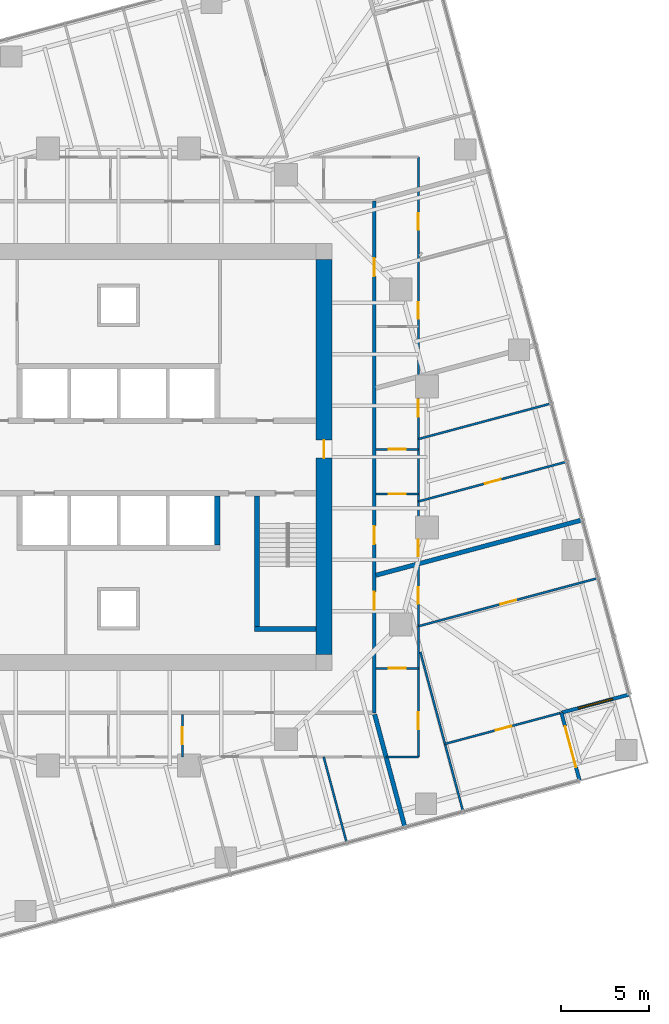
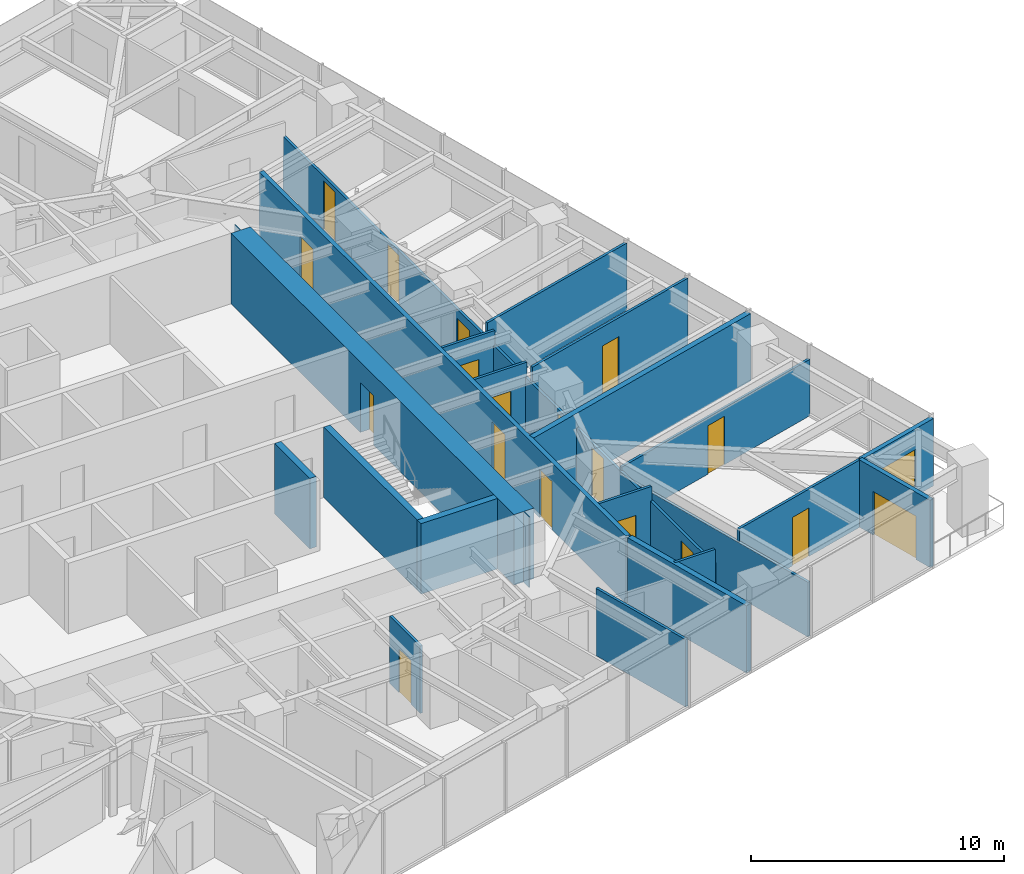
# One storey, part 10 of 13: 21 walls, 18 doors, 1 window, 19 openings.
"""IFC4 building model written with IfcOpenShell, lengths in metres."""

from ifc_helpers import new_model, si_unit, direction, frame, frame_2d, origin, place, context, subcontext, project, spatial, polyline, rectangle, outline, extrude, material, layer, layer_set, type_object, element, fill, save


model = new_model("IFC4")

# Units and contexts
model_context = context("Model", 3, precision=1e-05, world=origin(), true_north=direction((0.0, 1.0)))
body_context = subcontext(model_context, "Body", "Model", "MODEL_VIEW")
ifc_project = project(units=[si_unit("LENGTHUNIT", "METRE"), si_unit("AREAUNIT", "SQUARE_METRE"), si_unit("VOLUMEUNIT", "CUBIC_METRE"), si_unit("PLANEANGLEUNIT", "RADIAN"), si_unit("MASSUNIT", "GRAM", prefix="KILO")], contexts=[model_context])

# Site, building, storey
site_placement = place(None, origin())
site = spatial("IfcSite", under=ifc_project, at=site_placement, CompositionType="ELEMENT")
building_placement = place(site_placement, origin())
building = spatial("IfcBuilding", under=site, at=building_placement, Name="Torsade Residences", CompositionType="ELEMENT")
storey_placement = place(building_placement, frame((0.0, 0.0, 118.39990234375)))
storey = spatial("IfcBuildingStorey", under=building, at=storey_placement, Name="L32", CompositionType="ELEMENT", Elevation=118.39990234375)

# Walls
ifc_material_1 = material(Name="Concrete 80 MPa", Category="concrete")
ifc_layer_1 = layer(ifc_material_1, 0.300048828125)
ifc_layer_set_1 = layer_set([ifc_layer_1], Name="Concrete 80 MPa")
wall_type_1 = type_object("IfcWallType", Name="CORE INTERNAL WALL 300", PredefinedType="SHEAR", material=ifc_layer_set_1)
wall_1_placement = place(storey_placement, frame((45.60009765625, 27.800048828125, 0.0), z_axis=(0.0, 0.0, 1.0), x_axis=(0.0, -1.0, 0.0)))
element("IfcWall", 1, at=wall_1_placement, inside=storey, type_object=wall_type_1, Name="Core wall DS0 L32", PredefinedType="SHEAR", context=body_context, shape_type="SweptSolid", body=[
    extrude(rectangle(XDim=2.800048828125, YDim=0.300048828125, at=frame_2d((1.39990234375, 0.0))), origin(), (0.0, 0.0, 1.0), 3.400146484375),
])
wall_2_placement = place(storey_placement, frame((47.85009765625, 27.800048828125, 0.0), z_axis=(0.0, 0.0, 1.0), x_axis=(0.0, -1.0, 0.0)))
element("IfcWall", 2, at=wall_2_placement, inside=storey, type_object=wall_type_1, Name="Core wall ST2W L32", PredefinedType="SHEAR", context=body_context, shape_type="SweptSolid", body=[
    extrude(rectangle(XDim=7.699951171875, YDim=0.300048828125, at=frame_2d((3.85009765625, 0.0))), origin(), (0.0, 0.0, 1.0), 3.400146484375),
])
wall_3_placement = place(storey_placement, frame((51.199951171875, 20.25, 0.0), z_axis=(0.0, 0.0, 1.0), x_axis=(-1.0, 0.0, 0.0)))
element("IfcWall", 3, at=wall_3_placement, inside=storey, type_object=wall_type_1, Name="Core wall ST2S L32", PredefinedType="SHEAR", context=body_context, shape_type="SweptSolid", body=[
    extrude(rectangle(XDim=3.5, YDim=0.300048828125, at=frame_2d((1.75, 0.0))), origin(), (0.0, 0.0, 1.0), 3.400146484375),
])

# Wall, opening, door
ifc_material_2 = material(Name="Concrete 80 MPa", Category="concrete")
ifc_layer_2 = layer(ifc_material_2, 0.89990234375)
ifc_layer_set_2 = layer_set([ifc_layer_2], Name="Concrete 80 MPa")
wall_type_2 = type_object("IfcWallType", Name="CORE WALL 900", PredefinedType="SHEAR", material=ifc_layer_set_2)
wall_4_placement = place(storey_placement, frame((51.64990234375, 18.800048828125, 0.0), z_axis=(0.0, 0.0, 1.0), x_axis=(0.0, 1.0, 0.0)))
wall_4 = element("IfcWall", 4, at=wall_4_placement, inside=storey, type_object=wall_type_2, Name="Core wall E L32", PredefinedType="SHEAR", context=body_context, shape_type="SweptSolid", body=[
    extrude(outline(polyline([(0.0, -0.449951171875), (22.39990234375, -0.449951171875), (22.39990234375, -0.02490234375), (22.849853515625, -0.02490234375), (22.849853515625, 0.02490234375), (22.39990234375, 0.02490234375), (22.39990234375, 0.449951171875), (0.0, 0.449951171875), (0.0, 0.02490234375), (-0.449951171875, 0.02490234375), (-0.449951171875, -0.02490234375), (0.0, -0.02490234375), (0.0, -0.449951171875)])), origin(), (0.0, 0.0, 1.0), 3.400146484375),
])
opening_1_placement = place(wall_4_placement, frame((11.139892578125, 0.0, 0.0)))
opening_1 = element("IfcOpeningElement", 5, at=opening_1_placement, cuts=wall_4, Name="Opening D04", PredefinedType="OPENING", context=body_context, shape_type="SweptSolid", body=[
    extrude(rectangle(XDim=1.02001953125, YDim=2.39990234375, at=frame_2d((0.510009765625, 1.199951171875))), frame((0.0, 0.4599609375, 0.0), z_axis=(0.0, -1.0, 0.0), x_axis=(1.0, 0.0, 0.0)), (0.0, 0.0, 1.0), 0.919921875),
])
ifc_material_3 = material(Name="Steel-framed fire door", Category="steel")
door_type_1 = type_object("IfcDoorType", Name="LOBBY SMOKE DOOR 1020x2400", OperationType="NOTDEFINED", PredefinedType="DOOR", material=ifc_material_3)
door_1_placement = place(opening_1_placement, origin())
door_1 = element("IfcDoor", 6, at=door_1_placement, inside=storey, type_object=door_type_1, Name="Lift lobby door E L32", OperationType="SINGLE_SWING_LEFT", OverallHeight=2.39990234375, OverallWidth=1.02001953125, PredefinedType="DOOR", context=body_context, shape_type="SweptSolid", body=[
    extrude(rectangle(XDim=1.02001953125, YDim=2.39990234375, at=frame_2d((0.510009765625, 1.199951171875))), frame((0.0, 0.02490234375, 0.0), z_axis=(0.0, -1.0, 0.0), x_axis=(1.0, 0.0, 0.0)), (0.0, 0.0, 1.0), 0.050048828125),
])
fill(opening_1, door_1)

# Wall, openings, doors
ifc_material_4 = material(Name="Plasterboard on steel stud", Category="steel")
ifc_layer_3 = layer(ifc_material_4, 0.199951171875)
ifc_layer_set_3 = layer_set([ifc_layer_3], Name="Plasterboard on steel stud")
wall_type_3 = type_object("IfcWallType", Name="CORRIDOR WALL 200", PredefinedType="PARTITIONING", material=ifc_layer_set_3)
wall_5_placement = place(storey_placement, frame((54.5, 15.5, 0.0), z_axis=(0.0, 0.0, 1.0), x_axis=(0.0, 1.0, 0.0)))
wall_5 = element("IfcWall", 7, at=wall_5_placement, inside=storey, type_object=wall_type_3, Name="Corridor wall L32", PredefinedType="PARTITIONING", context=body_context, shape_type="SweptSolid", body=[
    extrude(rectangle(XDim=29.0, YDim=0.199951171875, at=frame_2d((14.5, 0.0))), origin(), (0.0, 0.0, 1.0), 3.25),
])
opening_2_placement = place(wall_5_placement, frame((24.760009765625, 0.0, 0.0)))
opening_2 = element("IfcOpeningElement", 8, at=opening_2_placement, cuts=wall_5, Name="Opening D01L", PredefinedType="OPENING", context=body_context, shape_type="SweptSolid", body=[
    extrude(rectangle(XDim=1.02001953125, YDim=2.10009765625, at=frame_2d((0.510009765625, 1.050048828125))), frame((0.0, 0.10986328125, 0.0), z_axis=(0.0, -1.0, 0.0), x_axis=(1.0, 0.0, 0.0)), (0.0, 0.0, 1.0), 0.219970703125),
])
opening_3_placement = place(wall_5_placement, frame((5.82861328125, 0.0, 0.0)))
opening_3 = element("IfcOpeningElement", 9, at=opening_3_placement, cuts=wall_5, Name="Opening D01", PredefinedType="OPENING", context=body_context, shape_type="SweptSolid", body=[
    extrude(rectangle(XDim=1.02001953125, YDim=2.340087890625, at=frame_2d((0.510009765625, 1.169921875))), frame((0.0, 0.10986328125, 0.0), z_axis=(0.0, -1.0, 0.0), x_axis=(1.0, 0.0, 0.0)), (0.0, 0.0, 1.0), 0.219970703125),
])
opening_4_placement = place(wall_5_placement, frame((9.559326171875, 0.0, 0.0)))
opening_4 = element("IfcOpeningElement", 10, at=opening_4_placement, cuts=wall_5, Name="Opening D01", PredefinedType="OPENING", context=body_context, shape_type="SweptSolid", body=[
    extrude(rectangle(XDim=1.02001953125, YDim=2.340087890625, at=frame_2d((0.510009765625, 1.169921875))), frame((0.0, 0.10986328125, 0.0), z_axis=(0.0, -1.0, 0.0), x_axis=(1.0, 0.0, 0.0)), (0.0, 0.0, 1.0), 0.219970703125),
])
ifc_material_5 = material(Name="Solid-core timber fire door", Category="wood")
door_type_2 = type_object("IfcDoorType", Name="APARTMENT ENTRY DOOR 1020x2100", OperationType="NOTDEFINED", PredefinedType="DOOR", material=ifc_material_5)
door_2_placement = place(opening_2_placement, origin())
door_2 = element("IfcDoor", 11, at=door_2_placement, inside=storey, type_object=door_type_2, Name="Door Residential corridor to Kitchen and dining", OperationType="SINGLE_SWING_LEFT", OverallHeight=2.10009765625, OverallWidth=1.02001953125, PredefinedType="DOOR", context=body_context, shape_type="SweptSolid", body=[
    extrude(rectangle(XDim=1.02001953125, YDim=2.10009765625, at=frame_2d((0.510009765625, 1.050048828125))), frame((0.0, 0.02490234375, 0.0), z_axis=(0.0, -1.0, 0.0), x_axis=(1.0, 0.0, 0.0)), (0.0, 0.0, 1.0), 0.050048828125),
])
fill(opening_2, door_2)
ifc_material_6 = material(Name="Solid-core timber fire door", Category="wood")
door_type_3 = type_object("IfcDoorType", Name="APARTMENT ENTRY DOOR 1020x2340", OperationType="NOTDEFINED", PredefinedType="DOOR", material=ifc_material_6)
door_3_placement = place(opening_3_placement, origin())
door_3 = element("IfcDoor", 12, at=door_3_placement, inside=storey, type_object=door_type_3, Name="Door Residential corridor to Kitchen and dining", OperationType="SINGLE_SWING_RIGHT", OverallHeight=2.340087890625, OverallWidth=1.02001953125, PredefinedType="DOOR", context=body_context, shape_type="SweptSolid", body=[
    extrude(rectangle(XDim=1.02001953125, YDim=2.340087890625, at=frame_2d((0.510009765625, 1.169921875))), frame((0.0, 0.02490234375, 0.0), z_axis=(0.0, -1.0, 0.0), x_axis=(1.0, 0.0, 0.0)), (0.0, 0.0, 1.0), 0.050048828125),
])
fill(opening_3, door_3)
door_4_placement = place(opening_4_placement, origin())
door_4 = element("IfcDoor", 13, at=door_4_placement, inside=storey, type_object=door_type_3, Name="Door Residential corridor to Kitchen and dining", OperationType="SINGLE_SWING_LEFT", OverallHeight=2.340087890625, OverallWidth=1.02001953125, PredefinedType="DOOR", context=body_context, shape_type="SweptSolid", body=[
    extrude(rectangle(XDim=1.02001953125, YDim=2.340087890625, at=frame_2d((0.510009765625, 1.169921875))), frame((0.0, 0.02490234375, 0.0), z_axis=(0.0, -1.0, 0.0), x_axis=(1.0, 0.0, 0.0)), (0.0, 0.0, 1.0), 0.050048828125),
])
fill(opening_4, door_4)

# Wall, opening, door
ifc_material_7 = material(Name="Plasterboard on steel stud", Category="steel")
ifc_layer_4 = layer(ifc_material_7, 0.1201171875)
ifc_layer_set_4 = layer_set([ifc_layer_4], Name="Plasterboard on steel stud")
wall_type_4 = type_object("IfcWallType", Name="PARTITION 120", PredefinedType="PARTITIONING", material=ifc_layer_set_4)
wall_6_placement = place(storey_placement, frame((43.617919921875, 13.0, 0.0), z_axis=(0.0, 0.0, 1.0), x_axis=(0.0, 1.0, 0.0)))
wall_6 = element("IfcWall", 14, at=wall_6_placement, inside=storey, type_object=wall_type_4, Name="Partition L32", PredefinedType="PARTITIONING", context=body_context, shape_type="SweptSolid", body=[
    extrude(rectangle(XDim=2.39990234375, YDim=0.1201171875, at=frame_2d((1.199951171875, 0.0))), origin(), (0.0, 0.0, 1.0), 3.25),
])
opening_5_placement = place(wall_6_placement, frame((0.719970703125, 0.0, 0.0)))
opening_5 = element("IfcOpeningElement", 15, at=opening_5_placement, cuts=wall_6, Name="Opening D05", PredefinedType="OPENING", context=body_context, shape_type="SweptSolid", body=[
    extrude(rectangle(XDim=0.9599609375, YDim=2.10009765625, at=frame_2d((0.47998046875, 1.050048828125))), frame((0.0, 0.070068359375, 0.0), z_axis=(0.0, -1.0, 0.0), x_axis=(1.0, 0.0, 0.0)), (0.0, 0.0, 1.0), 0.14013671875),
])
ifc_material_8 = material(Name="Hollow-core timber door in a steel cavity frame", Category="steel")
door_type_4 = type_object("IfcDoorType", Name="BATHROOM CAVITY SLIDING DOOR 960", OperationType="SLIDING_TO_LEFT", PredefinedType="DOOR", material=ifc_material_8)
door_5_placement = place(opening_5_placement, origin())
door_5 = element("IfcDoor", 16, at=door_5_placement, inside=storey, type_object=door_type_4, Name="Door Kitchen and dining to Ensuite", OperationType="SLIDING_TO_LEFT", OverallHeight=2.10009765625, OverallWidth=0.9599609375, PredefinedType="DOOR", context=body_context, shape_type="SweptSolid", body=[
    extrude(rectangle(XDim=0.9599609375, YDim=2.10009765625, at=frame_2d((0.47998046875, 1.050048828125))), frame((0.0, 0.02490234375, 0.0), z_axis=(0.0, -1.0, 0.0), x_axis=(1.0, 0.0, 0.0)), (0.0, 0.0, 1.0), 0.050048828125),
])
fill(opening_5, door_5)

# Wall
wall_7_placement = place(storey_placement, frame((51.629638671875, 13.0, 0.0), z_axis=(0.0, 0.0, 1.0), x_axis=(0.258789467631, -0.965933751063, 0.0)))
element("IfcWall", 17, at=wall_7_placement, inside=storey, type_object=wall_type_4, Name="Partition L32", PredefinedType="PARTITIONING", context=body_context, shape_type="SweptSolid", body=[
    extrude(rectangle(XDim=5.029296875, YDim=0.1201171875, at=frame_2d((2.5146484375, 0.0))), origin(), (0.0, 0.0, 1.0), 3.25),
])

# Wall, opening, door
wall_8_placement = place(storey_placement, frame((57.0, 18.021484375, 0.0), z_axis=(0.0, 0.0, 1.0), x_axis=(-1.0, 0.0, 0.0)))
wall_8 = element("IfcWall", 18, at=wall_8_placement, inside=storey, type_object=wall_type_4, Name="Partition L32", PredefinedType="PARTITIONING", context=body_context, shape_type="SweptSolid", body=[
    extrude(rectangle(XDim=2.39990234375, YDim=0.1201171875, at=frame_2d((1.199951171875, 0.0))), origin(), (0.0, 0.0, 1.0), 3.25),
])
opening_6_placement = place(wall_8_placement, frame((0.719970703125, 0.0, 0.0)))
opening_6 = element("IfcOpeningElement", 19, at=opening_6_placement, cuts=wall_8, Name="Opening D05", PredefinedType="OPENING", context=body_context, shape_type="SweptSolid", body=[
    extrude(rectangle(XDim=0.9599609375, YDim=2.10009765625, at=frame_2d((0.47998046875, 1.050048828125))), frame((0.0, 0.070068359375, 0.0), z_axis=(0.0, -1.0, 0.0), x_axis=(1.0, 0.0, 0.0)), (0.0, 0.0, 1.0), 0.14013671875),
])
door_6_placement = place(opening_6_placement, origin())
door_6 = element("IfcDoor", 20, at=door_6_placement, inside=storey, type_object=door_type_4, Name="Door Kitchen and dining to Bathroom", OperationType="SLIDING_TO_LEFT", OverallHeight=2.10009765625, OverallWidth=0.9599609375, PredefinedType="DOOR", context=body_context, shape_type="SweptSolid", body=[
    extrude(rectangle(XDim=0.9599609375, YDim=2.10009765625, at=frame_2d((0.47998046875, 1.050048828125))), frame((0.0, 0.02490234375, 0.0), z_axis=(0.0, -1.0, 0.0), x_axis=(1.0, 0.0, 0.0)), (0.0, 0.0, 1.0), 0.050048828125),
])
fill(opening_6, door_6)

# Wall, openings, doors
wall_9_placement = place(storey_placement, frame((57.0, 47.0, 0.0), z_axis=(0.0, 0.0, 1.0), x_axis=(0.0, -1.0, 0.0)))
wall_9 = element("IfcWall", 21, at=wall_9_placement, inside=storey, type_object=wall_type_4, Name="Partition L32", PredefinedType="PARTITIONING", context=body_context, shape_type="SweptSolid", body=[
    extrude(rectangle(XDim=34.0, YDim=0.1201171875, at=frame_2d((17.0, 0.0))), origin(), (0.0, 0.0, 1.0), 2.550048828125),
])
opening_7_placement = place(wall_9_placement, frame((8.230224609375, 0.0, 0.0)))
opening_7 = element("IfcOpeningElement", 22, at=opening_7_placement, cuts=wall_9, Name="Opening D02", PredefinedType="OPENING", context=body_context, shape_type="SweptSolid", body=[
    extrude(rectangle(XDim=0.919921875, YDim=2.340087890625, at=frame_2d((0.4599609375, 1.169921875))), frame((0.0, 0.070068359375, 0.0), z_axis=(0.0, -1.0, 0.0), x_axis=(1.0, 0.0, 0.0)), (0.0, 0.0, 1.0), 0.14013671875),
])
opening_8_placement = place(wall_9_placement, frame((3.19189453125, 0.0, 0.0)))
opening_8 = element("IfcOpeningElement", 23, at=opening_8_placement, cuts=wall_9, Name="Opening D02", PredefinedType="OPENING", context=body_context, shape_type="SweptSolid", body=[
    extrude(rectangle(XDim=0.919921875, YDim=2.340087890625, at=frame_2d((0.4599609375, 1.169921875))), frame((0.0, 0.070068359375, 0.0), z_axis=(0.0, -1.0, 0.0), x_axis=(1.0, 0.0, 0.0)), (0.0, 0.0, 1.0), 0.14013671875),
])
opening_9_placement = place(wall_9_placement, frame((24.390869140625, 0.0, 0.0)))
opening_9 = element("IfcOpeningElement", 24, at=opening_9_placement, cuts=wall_9, Name="Opening D02", PredefinedType="OPENING", context=body_context, shape_type="SweptSolid", body=[
    extrude(rectangle(XDim=0.919921875, YDim=2.340087890625, at=frame_2d((0.4599609375, 1.169921875))), frame((0.0, 0.070068359375, 0.0), z_axis=(0.0, -1.0, 0.0), x_axis=(1.0, 0.0, 0.0)), (0.0, 0.0, 1.0), 0.14013671875),
])
opening_10_placement = place(wall_9_placement, frame((21.701904296875, 0.0, 0.0)))
opening_10 = element("IfcOpeningElement", 25, at=opening_10_placement, cuts=wall_9, Name="Opening D02", PredefinedType="OPENING", context=body_context, shape_type="SweptSolid", body=[
    extrude(rectangle(XDim=0.919921875, YDim=2.340087890625, at=frame_2d((0.4599609375, 1.169921875))), frame((0.0, 0.070068359375, 0.0), z_axis=(0.0, -1.0, 0.0), x_axis=(1.0, 0.0, 0.0)), (0.0, 0.0, 1.0), 0.14013671875),
])
opening_11_placement = place(wall_9_placement, frame((31.459228515625, 0.0, 0.0)))
opening_11 = element("IfcOpeningElement", 26, at=opening_11_placement, cuts=wall_9, Name="Opening D05", PredefinedType="OPENING", context=body_context, shape_type="SweptSolid", body=[
    extrude(rectangle(XDim=0.9599609375, YDim=2.10009765625, at=frame_2d((0.47998046875, 1.050048828125))), frame((0.0, 0.070068359375, 0.0), z_axis=(0.0, -1.0, 0.0), x_axis=(1.0, 0.0, 0.0)), (0.0, 0.0, 1.0), 0.14013671875),
])
opening_12_placement = place(wall_9_placement, frame((13.75927734375, 0.0, 0.0)))
opening_12 = element("IfcOpeningElement", 27, at=opening_12_placement, cuts=wall_9, Name="Opening D05", PredefinedType="OPENING", context=body_context, shape_type="SweptSolid", body=[
    extrude(rectangle(XDim=0.9599609375, YDim=2.10009765625, at=frame_2d((0.47998046875, 1.050048828125))), frame((0.0, 0.070068359375, 0.0), z_axis=(0.0, -1.0, 0.0), x_axis=(1.0, 0.0, 0.0)), (0.0, 0.0, 1.0), 0.14013671875),
])
door_7_placement = place(opening_11_placement, origin())
door_7 = element("IfcDoor", 28, at=door_7_placement, inside=storey, type_object=door_type_4, Name="Door Bathroom to Bedroom 3", OperationType="SLIDING_TO_LEFT", OverallHeight=2.10009765625, OverallWidth=0.9599609375, PredefinedType="DOOR", context=body_context, shape_type="SweptSolid", body=[
    extrude(rectangle(XDim=0.9599609375, YDim=2.10009765625, at=frame_2d((0.47998046875, 1.050048828125))), frame((0.0, 0.02490234375, 0.0), z_axis=(0.0, -1.0, 0.0), x_axis=(1.0, 0.0, 0.0)), (0.0, 0.0, 1.0), 0.050048828125),
])
fill(opening_11, door_7)
door_8_placement = place(opening_12_placement, origin())
door_8 = element("IfcDoor", 29, at=door_8_placement, inside=storey, type_object=door_type_4, Name="Door Bathroom to Bedroom 2", OperationType="SLIDING_TO_LEFT", OverallHeight=2.10009765625, OverallWidth=0.9599609375, PredefinedType="DOOR", context=body_context, shape_type="SweptSolid", body=[
    extrude(rectangle(XDim=0.9599609375, YDim=2.10009765625, at=frame_2d((0.47998046875, 1.050048828125))), frame((0.0, 0.02490234375, 0.0), z_axis=(0.0, -1.0, 0.0), x_axis=(1.0, 0.0, 0.0)), (0.0, 0.0, 1.0), 0.050048828125),
])
fill(opening_12, door_8)
ifc_material_9 = material(Name="Hollow-core timber door", Category="wood")
door_type_5 = type_object("IfcDoorType", Name="INTERNAL DOOR 920x2340", OperationType="NOTDEFINED", PredefinedType="DOOR", material=ifc_material_9)
door_9_placement = place(opening_7_placement, origin())
door_9 = element("IfcDoor", 30, at=door_9_placement, inside=storey, type_object=door_type_5, Name="Door Kitchen and dining to Living room", OperationType="SINGLE_SWING_LEFT", OverallHeight=2.340087890625, OverallWidth=0.919921875, PredefinedType="DOOR", context=body_context, shape_type="SweptSolid", body=[
    extrude(rectangle(XDim=0.919921875, YDim=2.340087890625, at=frame_2d((0.4599609375, 1.169921875))), frame((0.0, 0.02490234375, 0.0), z_axis=(0.0, -1.0, 0.0), x_axis=(1.0, 0.0, 0.0)), (0.0, 0.0, 1.0), 0.050048828125),
])
fill(opening_7, door_9)
door_10_placement = place(opening_8_placement, origin())
door_10 = element("IfcDoor", 31, at=door_10_placement, inside=storey, type_object=door_type_5, Name="Door Kitchen and dining to Bedroom 1", OperationType="SINGLE_SWING_RIGHT", OverallHeight=2.340087890625, OverallWidth=0.919921875, PredefinedType="DOOR", context=body_context, shape_type="SweptSolid", body=[
    extrude(rectangle(XDim=0.919921875, YDim=2.340087890625, at=frame_2d((0.4599609375, 1.169921875))), frame((0.0, 0.02490234375, 0.0), z_axis=(0.0, -1.0, 0.0), x_axis=(1.0, 0.0, 0.0)), (0.0, 0.0, 1.0), 0.050048828125),
])
fill(opening_8, door_10)
door_11_placement = place(opening_9_placement, origin())
door_11 = element("IfcDoor", 32, at=door_11_placement, inside=storey, type_object=door_type_5, Name="Door Kitchen and dining to Bedroom 1", OperationType="SINGLE_SWING_RIGHT", OverallHeight=2.340087890625, OverallWidth=0.919921875, PredefinedType="DOOR", context=body_context, shape_type="SweptSolid", body=[
    extrude(rectangle(XDim=0.919921875, YDim=2.340087890625, at=frame_2d((0.4599609375, 1.169921875))), frame((0.0, 0.02490234375, 0.0), z_axis=(0.0, -1.0, 0.0), x_axis=(1.0, 0.0, 0.0)), (0.0, 0.0, 1.0), 0.050048828125),
])
fill(opening_9, door_11)
door_12_placement = place(opening_10_placement, origin())
door_12 = element("IfcDoor", 33, at=door_12_placement, inside=storey, type_object=door_type_5, Name="Door Kitchen and dining to Living room", OperationType="SINGLE_SWING_LEFT", OverallHeight=2.340087890625, OverallWidth=0.919921875, PredefinedType="DOOR", context=body_context, shape_type="SweptSolid", body=[
    extrude(rectangle(XDim=0.919921875, YDim=2.340087890625, at=frame_2d((0.4599609375, 1.169921875))), frame((0.0, 0.02490234375, 0.0), z_axis=(0.0, -1.0, 0.0), x_axis=(1.0, 0.0, 0.0)), (0.0, 0.0, 1.0), 0.050048828125),
])
fill(opening_10, door_12)

# Wall
wall_10_placement = place(storey_placement, frame((57.0, 13.0, 0.0), z_axis=(0.0, 0.0, 1.0), x_axis=(-1.0, 0.0, 0.0)))
element("IfcWall", 34, at=wall_10_placement, inside=storey, type_object=wall_type_4, Name="Partition L32", PredefinedType="PARTITIONING", context=body_context, shape_type="SweptSolid", body=[
    extrude(rectangle(XDim=1.833251953125, YDim=0.1201171875, at=frame_2d((0.91650390625, 0.0))), origin(), (0.0, 0.0, 1.0), 3.25),
])

# Wall, opening, door
wall_11_placement = place(storey_placement, frame((57.0, 20.40625, 0.0), z_axis=(0.0, 0.0, 1.0), x_axis=(0.9659257847, 0.258819200315, 0.0)))
wall_11 = element("IfcWall", 35, at=wall_11_placement, inside=storey, type_object=wall_type_4, Name="Partition L32", PredefinedType="PARTITIONING", context=body_context, shape_type="SweptSolid", body=[
    extrude(rectangle(XDim=10.5224609375, YDim=0.1201171875, at=frame_2d((5.26123046875, 0.0))), origin(), (0.0, 0.0, 1.0), 2.72216796875),
])
opening_13_placement = place(wall_11_placement, frame((4.821044921875, 0.0, 0.0)))
opening_13 = element("IfcOpeningElement", 36, at=opening_13_placement, cuts=wall_11, Name="Opening D02", PredefinedType="OPENING", context=body_context, shape_type="SweptSolid", body=[
    extrude(rectangle(XDim=0.919921875, YDim=2.340087890625, at=frame_2d((0.4599609375, 1.169921875))), frame((0.0, 0.070068359375, 0.0), z_axis=(0.0, -1.0, 0.0), x_axis=(1.0, 0.0, 0.0)), (0.0, 0.0, 1.0), 0.14013671875),
])
door_13_placement = place(opening_13_placement, origin())
door_13 = element("IfcDoor", 37, at=door_13_placement, inside=storey, type_object=door_type_5, Name="Door Bedroom 1 to Living room", OperationType="SINGLE_SWING_RIGHT", OverallHeight=2.340087890625, OverallWidth=0.919921875, PredefinedType="DOOR", context=body_context, shape_type="SweptSolid", body=[
    extrude(rectangle(XDim=0.919921875, YDim=2.340087890625, at=frame_2d((0.4599609375, 1.169921875))), frame((0.0, 0.02490234375, 0.0), z_axis=(0.0, -1.0, 0.0), x_axis=(1.0, 0.0, 0.0)), (0.0, 0.0, 1.0), 0.050048828125),
])
fill(opening_13, door_13)

wall_12_placement = place(storey_placement, frame((65.068603515625, 15.493896484375, 0.0), z_axis=(0.0, 0.0, 1.0), x_axis=(-0.965922865286, -0.258830095464, 0.0)))
wall_12 = element("IfcWall", 38, at=wall_12_placement, inside=storey, type_object=wall_type_4, Name="Partition L32", PredefinedType="PARTITIONING", context=body_context, shape_type="SweptSolid", body=[
    extrude(rectangle(XDim=6.793212890625, YDim=0.1201171875, at=frame_2d((3.396484375, 0.0))), origin(), (0.0, 0.0, 1.0), 3.25),
])
opening_14_placement = place(wall_12_placement, frame((2.8916015625, 0.0, 0.0)))
opening_14 = element("IfcOpeningElement", 39, at=opening_14_placement, cuts=wall_12, Name="Opening D02", PredefinedType="OPENING", context=body_context, shape_type="SweptSolid", body=[
    extrude(rectangle(XDim=0.919921875, YDim=2.340087890625, at=frame_2d((0.4599609375, 1.169921875))), frame((0.0, 0.070068359375, 0.0), z_axis=(0.0, -1.0, 0.0), x_axis=(1.0, 0.0, 0.0)), (0.0, 0.0, 1.0), 0.14013671875),
])
door_14_placement = place(opening_14_placement, origin())
door_14 = element("IfcDoor", 40, at=door_14_placement, inside=storey, type_object=door_type_5, Name="Door Living room to Bedroom 2", OperationType="SINGLE_SWING_LEFT", OverallHeight=2.340087890625, OverallWidth=0.919921875, PredefinedType="DOOR", context=body_context, shape_type="SweptSolid", body=[
    extrude(rectangle(XDim=0.919921875, YDim=2.340087890625, at=frame_2d((0.4599609375, 1.169921875))), frame((0.0, 0.02490234375, 0.0), z_axis=(0.0, -1.0, 0.0), x_axis=(1.0, 0.0, 0.0)), (0.0, 0.0, 1.0), 0.050048828125),
])
fill(opening_14, door_14)

# Wall
wall_13_placement = place(storey_placement, frame((59.53173828125, 9.91064453125, 0.0), z_axis=(0.0, 0.0, 1.0), x_axis=(-0.25881390457, 0.965927203676, 0.0)))
element("IfcWall", 41, at=wall_13_placement, inside=storey, type_object=wall_type_4, Name="Partition L32", PredefinedType="PARTITIONING", context=body_context, shape_type="SweptSolid", body=[
    extrude(rectangle(XDim=9.356689453125, YDim=0.1201171875, at=frame_2d((4.67822265625, 0.0))), origin(), (0.0, 0.0, 1.0), 2.63818359375),
])

# Wall, opening, door
wall_14_placement = place(storey_placement, frame((54.60009765625, 27.900634765625, 0.0), z_axis=(0.0, 0.0, 1.0), x_axis=(1.0, 0.0, 0.0)))
wall_14 = element("IfcWall", 42, at=wall_14_placement, inside=storey, type_object=wall_type_4, Name="Partition L32", PredefinedType="PARTITIONING", context=body_context, shape_type="SweptSolid", body=[
    extrude(rectangle(XDim=2.39990234375, YDim=0.1201171875, at=frame_2d((1.199951171875, 0.0))), origin(), (0.0, 0.0, 1.0), 3.25),
])
opening_15_placement = place(wall_14_placement, frame((0.719970703125, 0.0, 0.0)))
opening_15 = element("IfcOpeningElement", 43, at=opening_15_placement, cuts=wall_14, Name="Opening D05", PredefinedType="OPENING", context=body_context, shape_type="SweptSolid", body=[
    extrude(rectangle(XDim=0.9599609375, YDim=2.10009765625, at=frame_2d((0.47998046875, 1.050048828125))), frame((0.0, 0.070068359375, 0.0), z_axis=(0.0, -1.0, 0.0), x_axis=(1.0, 0.0, 0.0)), (0.0, 0.0, 1.0), 0.14013671875),
])
door_15_placement = place(opening_15_placement, origin())
door_15 = element("IfcDoor", 44, at=door_15_placement, inside=storey, type_object=door_type_4, Name="Door Kitchen and dining to Ensuite", OperationType="SLIDING_TO_LEFT", OverallHeight=2.10009765625, OverallWidth=0.9599609375, PredefinedType="DOOR", context=body_context, shape_type="SweptSolid", body=[
    extrude(rectangle(XDim=0.9599609375, YDim=2.10009765625, at=frame_2d((0.47998046875, 1.050048828125))), frame((0.0, 0.02490234375, 0.0), z_axis=(0.0, -1.0, 0.0), x_axis=(1.0, 0.0, 0.0)), (0.0, 0.0, 1.0), 0.050048828125),
])
fill(opening_15, door_15)

wall_15_placement = place(storey_placement, frame((57.0, 30.4296875, 0.0), z_axis=(0.0, 0.0, 1.0), x_axis=(-1.0, 0.0, 0.0)))
wall_15 = element("IfcWall", 45, at=wall_15_placement, inside=storey, type_object=wall_type_4, Name="Partition L32", PredefinedType="PARTITIONING", context=body_context, shape_type="SweptSolid", body=[
    extrude(rectangle(XDim=2.39990234375, YDim=0.1201171875, at=frame_2d((1.199951171875, 0.0))), origin(), (0.0, 0.0, 1.0), 3.25),
])
opening_16_placement = place(wall_15_placement, frame((0.719970703125, 0.0, 0.0)))
opening_16 = element("IfcOpeningElement", 46, at=opening_16_placement, cuts=wall_15, Name="Opening D05", PredefinedType="OPENING", context=body_context, shape_type="SweptSolid", body=[
    extrude(rectangle(XDim=0.9599609375, YDim=2.10009765625, at=frame_2d((0.47998046875, 1.050048828125))), frame((0.0, 0.070068359375, 0.0), z_axis=(0.0, -1.0, 0.0), x_axis=(1.0, 0.0, 0.0)), (0.0, 0.0, 1.0), 0.14013671875),
])
door_16_placement = place(opening_16_placement, origin())
door_16 = element("IfcDoor", 47, at=door_16_placement, inside=storey, type_object=door_type_4, Name="Door Ensuite to Bathroom", OperationType="SLIDING_TO_LEFT", OverallHeight=2.10009765625, OverallWidth=0.9599609375, PredefinedType="DOOR", context=body_context, shape_type="SweptSolid", body=[
    extrude(rectangle(XDim=0.9599609375, YDim=2.10009765625, at=frame_2d((0.47998046875, 1.050048828125))), frame((0.0, 0.02490234375, 0.0), z_axis=(0.0, -1.0, 0.0), x_axis=(1.0, 0.0, 0.0)), (0.0, 0.0, 1.0), 0.050048828125),
])
fill(opening_16, door_16)

wall_16_placement = place(storey_placement, frame((57.0, 27.480712890625, 0.0), z_axis=(0.0, 0.0, 1.0), x_axis=(0.965925607751, 0.258819860698, 0.0)))
wall_16 = element("IfcWall", 48, at=wall_16_placement, inside=storey, type_object=wall_type_4, Name="Partition L32", PredefinedType="PARTITIONING", context=body_context, shape_type="SweptSolid", body=[
    extrude(rectangle(XDim=8.69140625, YDim=0.1201171875, at=frame_2d((4.345703125, 0.0))), origin(), (0.0, 0.0, 1.0), 3.25),
])
opening_17_placement = place(wall_16_placement, frame((3.90576171875, 0.0, 0.0)))
opening_17 = element("IfcOpeningElement", 49, at=opening_17_placement, cuts=wall_16, Name="Opening D02", PredefinedType="OPENING", context=body_context, shape_type="SweptSolid", body=[
    extrude(rectangle(XDim=0.919921875, YDim=2.340087890625, at=frame_2d((0.4599609375, 1.169921875))), frame((0.0, 0.070068359375, 0.0), z_axis=(0.0, -1.0, 0.0), x_axis=(1.0, 0.0, 0.0)), (0.0, 0.0, 1.0), 0.14013671875),
])
door_17_placement = place(opening_17_placement, origin())
door_17 = element("IfcDoor", 50, at=door_17_placement, inside=storey, type_object=door_type_5, Name="Door Living room to Bedroom 1", OperationType="SINGLE_SWING_LEFT", OverallHeight=2.340087890625, OverallWidth=0.919921875, PredefinedType="DOOR", context=body_context, shape_type="SweptSolid", body=[
    extrude(rectangle(XDim=0.919921875, YDim=2.340087890625, at=frame_2d((0.4599609375, 1.169921875))), frame((0.0, 0.02490234375, 0.0), z_axis=(0.0, -1.0, 0.0), x_axis=(1.0, 0.0, 0.0)), (0.0, 0.0, 1.0), 0.050048828125),
])
fill(opening_17, door_17)

# Walls
wall_17_placement = place(storey_placement, frame((57.0, 31.01806640625, 0.0), z_axis=(0.0, 0.0, 1.0), x_axis=(0.965927309482, 0.258813509689, 0.0)))
element("IfcWall", 51, at=wall_17_placement, inside=storey, type_object=wall_type_4, Name="Partition L32", PredefinedType="PARTITIONING", context=body_context, shape_type="SweptSolid", body=[
    extrude(rectangle(XDim=7.775634765625, YDim=0.1201171875, at=frame_2d((3.8876953125, 0.0))), origin(), (0.0, 0.0, 1.0), 3.25),
])
ifc_material_10 = material(Name="Masonry-lined stud party wall", Category="masonry")
ifc_layer_5 = layer(ifc_material_10, 0.25)
ifc_layer_set_5 = layer_set([ifc_layer_5], Name="Masonry-lined stud party wall")
wall_type_5 = type_object("IfcWallType", Name="PARTY WALL 250", PredefinedType="PARTITIONING", material=ifc_layer_set_5)
wall_18_placement = place(storey_placement, frame((56.24169921875, 8.98779296875, 0.0), z_axis=(0.0, 0.0, 1.0), x_axis=(-0.25880587229, 0.965929355837, 0.0)))
element("IfcWall", 52, at=wall_18_placement, inside=storey, type_object=wall_type_5, Name="Party wall L32", PredefinedType="PARTITIONING", context=body_context, shape_type="SweptSolid", body=[
    extrude(rectangle(XDim=6.644775390625, YDim=0.25, at=frame_2d((3.322265625, 0.0))), origin(), (0.0, 0.0, 1.0), 3.25),
])
wall_19_placement = place(storey_placement, frame((66.318115234375, 26.4404296875, 0.0), z_axis=(0.0, 0.0, 1.0), x_axis=(-0.965924438766, -0.258824223352, 0.0)))
element("IfcWall", 53, at=wall_19_placement, inside=storey, type_object=wall_type_5, Name="Party wall L32", PredefinedType="PARTITIONING", context=body_context, shape_type="SweptSolid", body=[
    extrude(rectangle(XDim=12.137939453125, YDim=0.25, at=frame_2d((6.06884765625, 0.0))), origin(), (0.0, 0.0, 1.0), 3.25),
])

# Wall, opening, door
ifc_material_11 = material(Name="Stone-faced precast concrete 40 MPa panel", Category="masonry")
ifc_layer_6 = layer(ifc_material_11, 0.199951171875)
ifc_layer_set_6 = layer_set([ifc_layer_6], Name="Stone-faced precast concrete 40 MPa panel")
wall_type_6 = type_object("IfcWallType", Name="TERRACE WALL 200", PredefinedType="SOLIDWALL", material=ifc_layer_set_6)
wall_20_placement = place(storey_placement, frame((66.142578125, 11.640625, 0.0), z_axis=(0.0, 0.0, 1.0), x_axis=(-0.258843877716, 0.965919172068, 0.0)))
wall_20 = element("IfcWall", 54, at=wall_20_placement, inside=storey, type_object=wall_type_6, Name="Terrace wall L32 2", PredefinedType="SOLIDWALL", context=body_context, shape_type="SweptSolid", body=[
    extrude(rectangle(XDim=4.0, YDim=0.199951171875, at=frame_2d((2.0, 0.0))), origin(), (0.0, 0.0, 1.0), 3.25),
])
opening_18_placement = place(wall_20_placement, frame((0.800048828125, 0.0, 0.0)))
opening_18 = element("IfcOpeningElement", 55, at=opening_18_placement, cuts=wall_20, Name="Opening D10A", PredefinedType="OPENING", context=body_context, shape_type="SweptSolid", body=[
    extrude(rectangle(XDim=2.39990234375, YDim=2.10009765625, at=frame_2d((1.199951171875, 1.050048828125))), frame((0.0, 0.10986328125, 0.0), z_axis=(0.0, -1.0, 0.0), x_axis=(1.0, 0.0, 0.0)), (0.0, 0.0, 1.0), 0.219970703125),
])
ifc_material_12 = material(Name="Aluminium-framed glass door", Category="aluminium")
door_type_6 = type_object("IfcDoorType", Name="TERRACE SLIDING DOOR 2400x2100", OperationType="SLIDING_TO_LEFT", PredefinedType="DOOR", material=ifc_material_12)
door_18_placement = place(opening_18_placement, origin())
door_18 = element("IfcDoor", 56, at=door_18_placement, inside=storey, type_object=door_type_6, Name="Terrace door L32 2", OperationType="SLIDING_TO_LEFT", OverallHeight=2.10009765625, OverallWidth=2.39990234375, PredefinedType="DOOR", context=body_context, shape_type="SweptSolid", body=[
    extrude(rectangle(XDim=2.39990234375, YDim=2.10009765625, at=frame_2d((1.199951171875, 1.050048828125))), frame((0.0, 0.02490234375, 0.0), z_axis=(0.0, -1.0, 0.0), x_axis=(1.0, 0.0, 0.0)), (0.0, 0.0, 1.0), 0.050048828125),
])
fill(opening_18, door_18)

# Wall, opening, window
wall_21_placement = place(storey_placement, frame((65.107177734375, 15.50439453125, 0.0), z_axis=(0.0, 0.0, 1.0), x_axis=(0.965934430412, 0.258786931944, 0.0)))
wall_21 = element("IfcWall", 57, at=wall_21_placement, inside=storey, type_object=wall_type_6, Name="Terrace wall L32 3", PredefinedType="SOLIDWALL", context=body_context, shape_type="SweptSolid", body=[
    extrude(rectangle(XDim=4.0, YDim=0.199951171875, at=frame_2d((2.0, 0.0))), origin(), (0.0, 0.0, 1.0), 3.25),
])
opening_19_placement = place(wall_21_placement, frame((1.0, 0.0, 0.449951171875)))
opening_19 = element("IfcOpeningElement", 58, at=opening_19_placement, cuts=wall_21, Name="Opening W1B", PredefinedType="OPENING", context=body_context, shape_type="SweptSolid", body=[
    extrude(rectangle(XDim=2.0, YDim=1.800048828125, at=frame_2d((1.0, 0.89990234375))), frame((0.0, 0.10986328125, 0.0), z_axis=(0.0, -1.0, 0.0), x_axis=(1.0, 0.0, 0.0)), (0.0, 0.0, 1.0), 0.219970703125),
])
ifc_material_13 = material(Name="Aluminium-framed glass window", Category="aluminium")
window_type = type_object("IfcWindowType", Name="TERRACE WINDOW 2000x1800", PartitioningType="SINGLE_PANEL", PredefinedType="WINDOW", material=ifc_material_13)
window_placement = place(opening_19_placement, origin())
window = element("IfcWindow", 59, at=window_placement, inside=storey, type_object=window_type, Name="Terrace window L32 3", OverallHeight=1.800048828125, OverallWidth=2.0, PartitioningType="SINGLE_PANEL", PredefinedType="WINDOW", context=body_context, shape_type="SweptSolid", body=[
    extrude(rectangle(XDim=2.0, YDim=1.800048828125, at=frame_2d((1.0, 0.89990234375))), frame((0.0, 0.030029296875, 0.0), z_axis=(0.0, -1.0, 0.0), x_axis=(1.0, 0.0, 0.0)), (0.0, 0.0, 1.0), 0.06005859375),
])
fill(opening_19, window)

save(model, "model.ifc")
